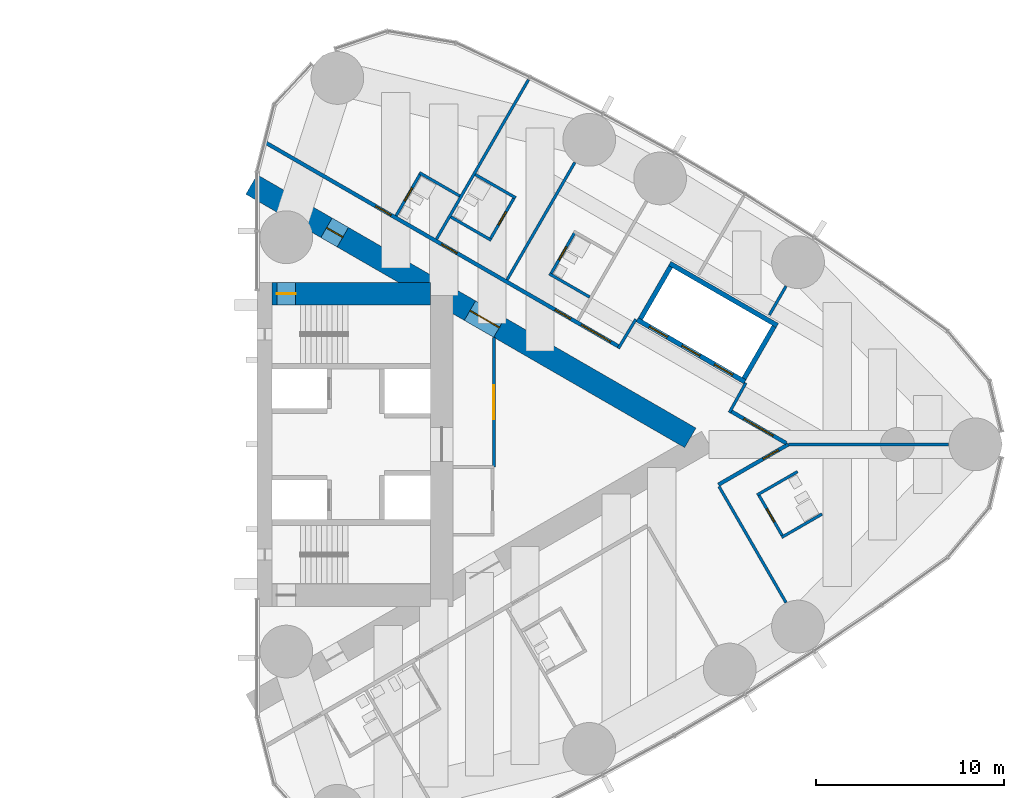
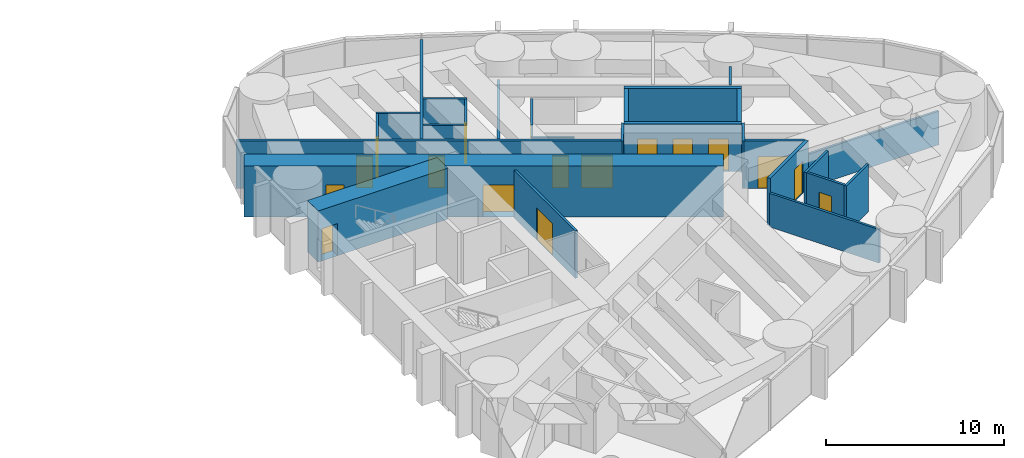
# One storey, part 15 of 18: 27 walls, 17 doors, 17 openings.
"""IFC4 building model written with IfcOpenShell, lengths in metres."""

from ifc_helpers import new_model, si_unit, direction, frame, frame_2d, origin, place, context, subcontext, project, spatial, rectangle, extrude, material, layer, layer_set, type_object, element, fill, save


model = new_model("IFC4")

# Units and contexts
model_context = context("Model", 3, precision=1e-05, world=origin(), true_north=direction((0.0, 1.0)))
body_context = subcontext(model_context, "Body", "Model", "MODEL_VIEW")
ifc_project = project(units=[si_unit("LENGTHUNIT", "METRE"), si_unit("AREAUNIT", "SQUARE_METRE"), si_unit("VOLUMEUNIT", "CUBIC_METRE"), si_unit("PLANEANGLEUNIT", "RADIAN"), si_unit("MASSUNIT", "GRAM", prefix="KILO")], contexts=[model_context])

# Site, building, storey
site_placement = place(None, origin())
site = spatial("IfcSite", under=ifc_project, at=site_placement, CompositionType="ELEMENT")
building_placement = place(site_placement, origin())
building = spatial("IfcBuilding", under=site, at=building_placement, Name="Lancet Gate Hotel", CompositionType="ELEMENT")
storey_placement = place(building_placement, frame((0.0, 0.0, 187.800048828125)))
storey = spatial("IfcBuildingStorey", under=building, at=storey_placement, Name="L50", CompositionType="ELEMENT", Elevation=187.800048828125)

# Wall
ifc_material_1 = material(Name="Moisture resistant board partition")
ifc_layer_1 = layer(ifc_material_1, 0.14990234375)
ifc_layer_set_1 = layer_set([ifc_layer_1], Name="Bathroom wall 150")
wall_type_1 = type_object("IfcWallType", Name="Bathroom wall 150", PredefinedType="PARTITIONING", material=ifc_layer_set_1)
wall_1_placement = place(storey_placement, frame((55.34912109375, -4.938232421875, 0.0), z_axis=(0.0, 0.0, 1.0), x_axis=(0.866006523861, 0.500032699561, 0.0)))
element("IfcWall", 1, at=wall_1_placement, inside=storey, type_object=wall_type_1, Name="T2 bathroom wall 150 L50", PredefinedType="PARTITIONING", context=body_context, shape_type="SweptSolid", body=[
    extrude(rectangle(XDim=2.474853515625, YDim=0.14990234375, at=frame_2d((1.2373046875, 0.0))), origin(), (0.0, 0.0, 1.0), 3.25),
])

# Wall, opening, door
wall_2_placement = place(storey_placement, frame((54.114013671875, -2.64892578125, 0.0), z_axis=(0.0, 0.0, 1.0), x_axis=(0.500006934395, -0.866021400173, 0.0)))
wall_2 = element("IfcWall", 2, at=wall_2_placement, inside=storey, type_object=wall_type_1, Name="T2 bathroom wall 150 L50", PredefinedType="PARTITIONING", context=body_context, shape_type="SweptSolid", body=[
    extrude(rectangle(XDim=2.60009765625, YDim=0.14990234375, at=frame_2d((1.300048828125, 0.0))), origin(), (0.0, 0.0, 1.0), 3.25),
])
opening_1_placement = place(wall_2_placement, frame((0.89990234375, 0.0, 0.0)))
opening_1 = element("IfcOpeningElement", 3, at=opening_1_placement, cuts=wall_2, Name="Opening 5057-B", PredefinedType="OPENING", context=body_context, shape_type="SweptSolid", body=[
    extrude(rectangle(XDim=0.800048828125, YDim=2.199951171875, at=frame_2d((0.39990234375, 1.10009765625))), frame((0.0, 0.0849609375, 0.0), z_axis=(0.0, -1.0, 0.0), x_axis=(1.0, 0.0, 0.0)), (0.0, 0.0, 1.0), 0.169921875),
])
ifc_material_2 = material(Name="Timber door set", Category="wood")
door_type_1 = type_object("IfcDoorType", Name="Bathroom door 800", OperationType="SINGLE_SWING_RIGHT", PredefinedType="DOOR", material=ifc_material_2)
door_1_placement = place(opening_1_placement, origin())
door_1 = element("IfcDoor", 4, at=door_1_placement, inside=storey, type_object=door_type_1, Name="5057-B", OperationType="SINGLE_SWING_RIGHT", OverallHeight=2.199951171875, OverallWidth=0.800048828125, PredefinedType="DOOR", context=body_context, shape_type="SweptSolid", body=[
    extrude(rectangle(XDim=0.800048828125, YDim=2.199951171875, at=frame_2d((0.39990234375, 1.10009765625))), frame((0.0, 0.02490234375, 0.0), z_axis=(0.0, -1.0, 0.0), x_axis=(1.0, 0.0, 0.0)), (0.0, 0.0, 1.0), 0.050048828125),
])
fill(opening_1, door_1)

# Wall
wall_3_placement = place(storey_placement, frame((54.049072265625, -2.6865234375, 0.0), z_axis=(0.0, 0.0, 1.0), x_axis=(0.866006523861, 0.500032699561, 0.0)))
element("IfcWall", 5, at=wall_3_placement, inside=storey, type_object=wall_type_1, Name="T2 bathroom wall 150 L50", PredefinedType="PARTITIONING", context=body_context, shape_type="SweptSolid", body=[
    extrude(rectangle(XDim=2.474853515625, YDim=0.14990234375, at=frame_2d((1.2373046875, 0.0))), origin(), (0.0, 0.0, 1.0), 3.25),
])

# Wall, opening, door
wall_4_placement = place(storey_placement, frame((43.078125, 9.020751953125, 0.0), z_axis=(0.0, 0.0, 1.0), x_axis=(0.49997716683, 0.86603858612, 0.0)))
wall_4 = element("IfcWall", 6, at=wall_4_placement, inside=storey, type_object=wall_type_1, Name="T2 bathroom wall 150 L50", PredefinedType="PARTITIONING", context=body_context, shape_type="SweptSolid", body=[
    extrude(rectangle(XDim=2.599609375, YDim=0.14990234375, at=frame_2d((1.2998046875, 0.0))), origin(), (0.0, 0.0, 1.0), 3.25),
])
opening_2_placement = place(wall_4_placement, frame((0.89990234375, 0.0, 0.0)))
opening_2 = element("IfcOpeningElement", 7, at=opening_2_placement, cuts=wall_4, Name="Opening 5061-B", PredefinedType="OPENING", context=body_context, shape_type="SweptSolid", body=[
    extrude(rectangle(XDim=0.800048828125, YDim=2.199951171875, at=frame_2d((0.39990234375, 1.10009765625))), frame((0.0, 0.0849609375, 0.0), z_axis=(0.0, -1.0, 0.0), x_axis=(1.0, 0.0, 0.0)), (0.0, 0.0, 1.0), 0.169921875),
])
door_2_placement = place(opening_2_placement, origin())
door_2 = element("IfcDoor", 8, at=door_2_placement, inside=storey, type_object=door_type_1, Name="5061-B", OperationType="SINGLE_SWING_RIGHT", OverallHeight=2.199951171875, OverallWidth=0.800048828125, PredefinedType="DOOR", context=body_context, shape_type="SweptSolid", body=[
    extrude(rectangle(XDim=0.800048828125, YDim=2.199951171875, at=frame_2d((0.39990234375, 1.10009765625))), frame((0.0, 0.02490234375, 0.0), z_axis=(0.0, -1.0, 0.0), x_axis=(1.0, 0.0, 0.0)), (0.0, 0.0, 1.0), 0.050048828125),
])
fill(opening_2, door_2)

# Walls
wall_5_placement = place(storey_placement, frame((43.01318359375, 9.05810546875, 0.0), z_axis=(0.0, 0.0, 1.0), x_axis=(0.866006523861, -0.500032699561, 0.0)))
element("IfcWall", 9, at=wall_5_placement, inside=storey, type_object=wall_type_1, Name="T2 bathroom wall 150 L50", PredefinedType="PARTITIONING", context=body_context, shape_type="SweptSolid", body=[
    extrude(rectangle(XDim=2.474853515625, YDim=0.14990234375, at=frame_2d((1.2373046875, 0.0))), origin(), (0.0, 0.0, 1.0), 2.449951171875),
])
wall_6_placement = place(storey_placement, frame((39.087158203125, 14.3271484375, 0.0), z_axis=(0.0, 0.0, 1.0), x_axis=(0.866006523861, -0.500032699561, 0.0)))
element("IfcWall", 10, at=wall_6_placement, inside=storey, type_object=wall_type_1, Name="T2 bathroom wall 150 L50", PredefinedType="PARTITIONING", context=body_context, shape_type="SweptSolid", body=[
    extrude(rectangle(XDim=2.474853515625, YDim=0.14990234375, at=frame_2d((1.2373046875, 0.0))), origin(), (0.0, 0.0, 1.0), 3.25),
])

# Wall, opening, door
wall_7_placement = place(storey_placement, frame((39.865478515625, 10.87548828125, 0.0), z_axis=(0.0, 0.0, 1.0), x_axis=(0.500047596559, 0.865997922154, 0.0)))
wall_7 = element("IfcWall", 11, at=wall_7_placement, inside=storey, type_object=wall_type_1, Name="T2 bathroom wall 150 L50", PredefinedType="PARTITIONING", context=body_context, shape_type="SweptSolid", body=[
    extrude(rectangle(XDim=2.599853515625, YDim=0.14990234375, at=frame_2d((1.2998046875, 0.0))), origin(), (0.0, 0.0, 1.0), 3.25),
])
opening_3_placement = place(wall_7_placement, frame((0.89990234375, 0.0, 0.0)))
opening_3 = element("IfcOpeningElement", 12, at=opening_3_placement, cuts=wall_7, Name="Opening 5062-B", PredefinedType="OPENING", context=body_context, shape_type="SweptSolid", body=[
    extrude(rectangle(XDim=0.800048828125, YDim=2.199951171875, at=frame_2d((0.39990234375, 1.10009765625))), frame((0.0, 0.0849609375, 0.0), z_axis=(0.0, -1.0, 0.0), x_axis=(1.0, 0.0, 0.0)), (0.0, 0.0, 1.0), 0.169921875),
])
door_3_placement = place(opening_3_placement, origin())
door_3 = element("IfcDoor", 13, at=door_3_placement, inside=storey, type_object=door_type_1, Name="5062-B", OperationType="SINGLE_SWING_RIGHT", OverallHeight=2.199951171875, OverallWidth=0.800048828125, PredefinedType="DOOR", context=body_context, shape_type="SweptSolid", body=[
    extrude(rectangle(XDim=0.800048828125, YDim=2.199951171875, at=frame_2d((0.39990234375, 1.10009765625))), frame((0.0, 0.02490234375, 0.0), z_axis=(0.0, -1.0, 0.0), x_axis=(1.0, 0.0, 0.0)), (0.0, 0.0, 1.0), 0.050048828125),
])
fill(opening_3, door_3)

# Walls
for number, where, z_axis, x_axis, name in (
    (14, (37.787109375, 12.075439453125, 0.0), (0.0, 0.0, 1.0), (0.866006523861, -0.500032699561, 0.0), "T2 bathroom wall 150 L50"),
    (15, (36.11376953125, 14.427001953125, 0.0), (0.0, 0.0, 1.0), (0.86604923931, -0.499958713387, 0.0), "T2 bathroom wall 150 L50"),
):
    element("IfcWall", number, at=place(storey_placement, frame(where, z_axis=z_axis, x_axis=x_axis)), inside=storey, type_object=wall_type_1, Name=name, PredefinedType="PARTITIONING", context=body_context, shape_type="SweptSolid", body=[
        extrude(rectangle(XDim=2.474853515625, YDim=0.14990234375, at=frame_2d((1.2373046875, 0.0))), origin(), (0.0, 0.0, 1.0), 3.25),
    ])

# Wall, opening, door
wall_8_placement = place(storey_placement, frame((34.878662109375, 12.137939453125, 0.0), z_axis=(0.0, 0.0, 1.0), x_axis=(0.500006934395, 0.866021400173, 0.0)))
wall_8 = element("IfcWall", 16, at=wall_8_placement, inside=storey, type_object=wall_type_1, Name="T2 bathroom wall 150 L50", PredefinedType="PARTITIONING", context=body_context, shape_type="SweptSolid", body=[
    extrude(rectangle(XDim=2.60009765625, YDim=0.14990234375, at=frame_2d((1.300048828125, 0.0))), origin(), (0.0, 0.0, 1.0), 3.25),
])
opening_4_placement = place(wall_8_placement, frame((0.89990234375, 0.0, 0.0)))
opening_4 = element("IfcOpeningElement", 17, at=opening_4_placement, cuts=wall_8, Name="Opening 5063-B", PredefinedType="OPENING", context=body_context, shape_type="SweptSolid", body=[
    extrude(rectangle(XDim=0.800048828125, YDim=2.199951171875, at=frame_2d((0.39990234375, 1.10009765625))), frame((0.0, 0.0849609375, 0.0), z_axis=(0.0, -1.0, 0.0), x_axis=(1.0, 0.0, 0.0)), (0.0, 0.0, 1.0), 0.169921875),
])
door_4_placement = place(opening_4_placement, origin())
door_4 = element("IfcDoor", 18, at=door_4_placement, inside=storey, type_object=door_type_1, Name="5063-B", OperationType="SINGLE_SWING_RIGHT", OverallHeight=2.199951171875, OverallWidth=0.800048828125, PredefinedType="DOOR", context=body_context, shape_type="SweptSolid", body=[
    extrude(rectangle(XDim=0.800048828125, YDim=2.199951171875, at=frame_2d((0.39990234375, 1.10009765625))), frame((0.0, 0.02490234375, 0.0), z_axis=(0.0, -1.0, 0.0), x_axis=(1.0, 0.0, 0.0)), (0.0, 0.0, 1.0), 0.050048828125),
])
fill(opening_4, door_4)

# Wall, openings, doors
ifc_material_3 = material(Name="Concrete C70/85", Category="concrete")
ifc_layer_2 = layer(ifc_material_3, 1.199951171875)
ifc_layer_set_2 = layer_set([ifc_layer_2], Name="Buttress wall 1200")
wall_type_2 = type_object("IfcWallType", Name="Buttress wall 1200", PredefinedType="SHEAR", material=ifc_layer_set_2)
wall_9_placement = place(storey_placement, frame((27.199951171875, 13.800048828125, 0.0), z_axis=(0.0, 0.0, 1.0), x_axis=(0.866024515034, -0.500001539357, 0.0)))
wall_9 = element("IfcWall", 19, at=wall_9_placement, inside=storey, type_object=wall_type_2, Name="T2 buttress wall N L50", PredefinedType="SHEAR", context=body_context, shape_type="SweptSolid", body=[
    extrude(rectangle(XDim=26.9072265625, YDim=1.199951171875, at=frame_2d((13.45361328125, 0.0))), origin(), (0.0, 0.0, 1.0), 3.5),
])
opening_5_placement = place(wall_9_placement, frame((4.60009765625, 0.0, 0.0)))
opening_5 = element("IfcOpeningElement", 20, at=opening_5_placement, cuts=wall_9, Name="Opening T2-L50-LN", PredefinedType="OPENING", context=body_context, shape_type="SweptSolid", body=[
    extrude(rectangle(XDim=1.0, YDim=2.199951171875, at=frame_2d((0.5, 1.10009765625))), frame((0.0, 0.60986328125, 0.0), z_axis=(0.0, -1.0, 0.0), x_axis=(1.0, 0.0, 0.0)), (0.0, 0.0, 1.0), 1.219970703125),
])
opening_6_placement = place(wall_9_placement, frame((13.39453125, 0.0, 0.0)))
opening_6 = element("IfcOpeningElement", 21, at=opening_6_placement, cuts=wall_9, Name="Opening T2-L50-LHN", PredefinedType="OPENING", context=body_context, shape_type="SweptSolid", body=[
    extrude(rectangle(XDim=1.800048828125, YDim=2.199951171875, at=frame_2d((0.89990234375, 1.10009765625))), frame((0.0, 0.60986328125, 0.0), z_axis=(0.0, -1.0, 0.0), x_axis=(1.0, 0.0, 0.0)), (0.0, 0.0, 1.0), 1.219970703125),
])
ifc_material_4 = material(Name="Timber door set", Category="wood")
door_type_2 = type_object("IfcDoorType", Name="Lobby double door 1800", OperationType="DOUBLE_DOOR_SINGLE_SWING", PredefinedType="DOOR", material=ifc_material_4)
door_5_placement = place(opening_6_placement, origin())
door_5 = element("IfcDoor", 22, at=door_5_placement, inside=storey, type_object=door_type_2, Name="T2-L50-LHN", OperationType="DOUBLE_DOOR_SINGLE_SWING", OverallHeight=2.199951171875, OverallWidth=1.800048828125, PredefinedType="DOOR", context=body_context, shape_type="SweptSolid", body=[
    extrude(rectangle(XDim=1.800048828125, YDim=2.199951171875, at=frame_2d((0.89990234375, 1.10009765625))), frame((0.0, 0.02490234375, 0.0), z_axis=(0.0, -1.0, 0.0), x_axis=(1.0, 0.0, 0.0)), (0.0, 0.0, 1.0), 0.050048828125),
])
fill(opening_6, door_5)
ifc_material_5 = material(Name="Timber door set", Category="wood")
door_type_3 = type_object("IfcDoorType", Name="Stair lobby door 1000", OperationType="SINGLE_SWING_LEFT", PredefinedType="DOOR", material=ifc_material_5)
door_6_placement = place(opening_5_placement, origin())
door_6 = element("IfcDoor", 23, at=door_6_placement, inside=storey, type_object=door_type_3, Name="T2-L50-LN", OperationType="SINGLE_SWING_LEFT", OverallHeight=2.199951171875, OverallWidth=1.0, PredefinedType="DOOR", context=body_context, shape_type="SweptSolid", body=[
    extrude(rectangle(XDim=1.0, YDim=2.199951171875, at=frame_2d((0.5, 1.10009765625))), frame((0.0, 0.02490234375, 0.0), z_axis=(0.0, -1.0, 0.0), x_axis=(1.0, 0.0, 0.0)), (0.0, 0.0, 1.0), 0.050048828125),
])
fill(opening_5, door_6)

# Wall, opening, door
ifc_material_6 = material(Name="Concrete C70/85", Category="concrete")
ifc_layer_3 = layer(ifc_material_6, 1.199951171875)
ifc_layer_set_3 = layer_set([ifc_layer_3], Name="Core wall 1200")
wall_type_3 = type_object("IfcWallType", Name="Core wall 1200", PredefinedType="SHEAR", material=ifc_layer_set_3)
wall_10_placement = place(storey_placement, frame((28.300048828125, 8.0, 0.0), z_axis=(0.0, 0.0, 1.0), x_axis=(1.0, 0.0, 0.0)))
wall_10 = element("IfcWall", 24, at=wall_10_placement, inside=storey, type_object=wall_type_3, Name="T2 core wall side-N L50", PredefinedType="SHEAR", context=body_context, shape_type="SweptSolid", body=[
    extrude(rectangle(XDim=8.39990234375, YDim=1.199951171875, at=frame_2d((4.199951171875, 0.0))), origin(), (0.0, 0.0, 1.0), 3.5),
])
opening_7_placement = place(wall_10_placement, frame((0.25, 0.0, 0.0)))
opening_7 = element("IfcOpeningElement", 25, at=opening_7_placement, cuts=wall_10, Name="Opening T2-L50-ST2", PredefinedType="OPENING", context=body_context, shape_type="SweptSolid", body=[
    extrude(rectangle(XDim=1.0, YDim=2.199951171875, at=frame_2d((0.5, 1.10009765625))), frame((0.0, 0.60986328125, 0.0), z_axis=(0.0, -1.0, 0.0), x_axis=(1.0, 0.0, 0.0)), (0.0, 0.0, 1.0), 1.219970703125),
])
ifc_material_7 = material(Name="Timber door set", Category="wood")
door_type_4 = type_object("IfcDoorType", Name="Stair door 1000", OperationType="SINGLE_SWING_RIGHT", PredefinedType="DOOR", material=ifc_material_7)
door_7_placement = place(opening_7_placement, origin())
door_7 = element("IfcDoor", 26, at=door_7_placement, inside=storey, type_object=door_type_4, Name="T2-L50-ST2", OperationType="SINGLE_SWING_RIGHT", OverallHeight=2.199951171875, OverallWidth=1.0, PredefinedType="DOOR", context=body_context, shape_type="SweptSolid", body=[
    extrude(rectangle(XDim=1.0, YDim=2.199951171875, at=frame_2d((0.5, 1.10009765625))), frame((0.0, 0.02490234375, 0.0), z_axis=(0.0, -1.0, 0.0), x_axis=(1.0, 0.0, 0.0)), (0.0, 0.0, 1.0), 0.050048828125),
])
fill(opening_7, door_7)

# Wall, openings, doors
ifc_material_8 = material(Name="Gypsum board partition")
ifc_layer_4 = layer(ifc_material_8, 0.199951171875)
ifc_layer_set_4 = layer_set([ifc_layer_4], Name="Corridor wall 200")
wall_type_4 = type_object("IfcWallType", Name="Corridor wall 200", PredefinedType="PARTITIONING", material=ifc_layer_set_4)
wall_11_placement = place(storey_placement, frame((27.95947265625, 16.017333984375, 0.0), z_axis=(0.0, 0.0, 1.0), x_axis=(0.866027146794, -0.499996981007, 0.0)))
wall_11 = element("IfcWall", 27, at=wall_11_placement, inside=storey, type_object=wall_type_4, Name="T2 corridor wall 200 L50", PredefinedType="PARTITIONING", context=body_context, shape_type="SweptSolid", body=[
    extrude(rectangle(XDim=21.657470703125, YDim=0.199951171875, at=frame_2d((10.82861328125, 0.0))), origin(), (0.0, 0.0, 1.0), 3.25),
])
opening_8_placement = place(wall_11_placement, frame((17.741455078125, 0.0, 0.0)))
opening_8 = element("IfcOpeningElement", 28, at=opening_8_placement, cuts=wall_11, Name="Opening 5061-E", PredefinedType="OPENING", context=body_context, shape_type="SweptSolid", body=[
    extrude(rectangle(XDim=0.949951171875, YDim=2.199951171875, at=frame_2d((0.47509765625, 1.10009765625))), frame((0.0, 0.10986328125, 0.0), z_axis=(0.0, -1.0, 0.0), x_axis=(1.0, 0.0, 0.0)), (0.0, 0.0, 1.0), 0.219970703125),
])
opening_9_placement = place(wall_11_placement, frame((10.781982421875, 0.0, 0.0)))
opening_9 = element("IfcOpeningElement", 29, at=opening_9_placement, cuts=wall_11, Name="Opening 5062-E", PredefinedType="OPENING", context=body_context, shape_type="SweptSolid", body=[
    extrude(rectangle(XDim=0.949951171875, YDim=2.199951171875, at=frame_2d((0.47509765625, 1.10009765625))), frame((0.0, 0.10986328125, 0.0), z_axis=(0.0, -1.0, 0.0), x_axis=(1.0, 0.0, 0.0)), (0.0, 0.0, 1.0), 0.219970703125),
])
opening_10_placement = place(wall_11_placement, frame((6.73193359375, 0.0, 0.0)))
opening_10 = element("IfcOpeningElement", 30, at=opening_10_placement, cuts=wall_11, Name="Opening 5063-E", PredefinedType="OPENING", context=body_context, shape_type="SweptSolid", body=[
    extrude(rectangle(XDim=0.949951171875, YDim=2.199951171875, at=frame_2d((0.47509765625, 1.10009765625))), frame((0.0, 0.10986328125, 0.0), z_axis=(0.0, -1.0, 0.0), x_axis=(1.0, 0.0, 0.0)), (0.0, 0.0, 1.0), 0.219970703125),
])
opening_11_placement = place(wall_11_placement, frame((19.349365234375, 0.0, 0.0)))
opening_11 = element("IfcOpeningElement", 31, at=opening_11_placement, cuts=wall_11, Name="Opening T2-L50-LO2", PredefinedType="OPENING", context=body_context, shape_type="SweptSolid", body=[
    extrude(rectangle(XDim=1.800048828125, YDim=2.199951171875, at=frame_2d((0.89990234375, 1.10009765625))), frame((0.0, 0.10986328125, 0.0), z_axis=(0.0, -1.0, 0.0), x_axis=(1.0, 0.0, 0.0)), (0.0, 0.0, 1.0), 0.219970703125),
])
ifc_material_9 = material(Name="Timber door set", Category="wood")
door_type_5 = type_object("IfcDoorType", Name="Double door 1800", OperationType="DOUBLE_DOOR_SINGLE_SWING", PredefinedType="DOOR", material=ifc_material_9)
door_8_placement = place(opening_11_placement, origin())
door_8 = element("IfcDoor", 32, at=door_8_placement, inside=storey, type_object=door_type_5, Name="T2-L50-LO2", OperationType="DOUBLE_DOOR_SINGLE_SWING", OverallHeight=2.199951171875, OverallWidth=1.800048828125, PredefinedType="DOOR", context=body_context, shape_type="SweptSolid", body=[
    extrude(rectangle(XDim=1.800048828125, YDim=2.199951171875, at=frame_2d((0.89990234375, 1.10009765625))), frame((0.0, 0.02490234375, 0.0), z_axis=(0.0, -1.0, 0.0), x_axis=(1.0, 0.0, 0.0)), (0.0, 0.0, 1.0), 0.050048828125),
])
fill(opening_11, door_8)
ifc_material_10 = material(Name="Timber door set", Category="wood")
door_type_6 = type_object("IfcDoorType", Name="Guest room entry door 950", OperationType="SINGLE_SWING_LEFT", PredefinedType="DOOR", material=ifc_material_10)
door_9_placement = place(opening_8_placement, origin())
door_9 = element("IfcDoor", 33, at=door_9_placement, inside=storey, type_object=door_type_6, Name="5061-E", OperationType="SINGLE_SWING_LEFT", OverallHeight=2.199951171875, OverallWidth=0.949951171875, PredefinedType="DOOR", context=body_context, shape_type="SweptSolid", body=[
    extrude(rectangle(XDim=0.949951171875, YDim=2.199951171875, at=frame_2d((0.47509765625, 1.10009765625))), frame((0.0, 0.02490234375, 0.0), z_axis=(0.0, -1.0, 0.0), x_axis=(1.0, 0.0, 0.0)), (0.0, 0.0, 1.0), 0.050048828125),
])
fill(opening_8, door_9)
door_10_placement = place(opening_9_placement, origin())
door_10 = element("IfcDoor", 34, at=door_10_placement, inside=storey, type_object=door_type_6, Name="5062-E", OperationType="SINGLE_SWING_LEFT", OverallHeight=2.199951171875, OverallWidth=0.949951171875, PredefinedType="DOOR", context=body_context, shape_type="SweptSolid", body=[
    extrude(rectangle(XDim=0.949951171875, YDim=2.199951171875, at=frame_2d((0.47509765625, 1.10009765625))), frame((0.0, 0.02490234375, 0.0), z_axis=(0.0, -1.0, 0.0), x_axis=(1.0, 0.0, 0.0)), (0.0, 0.0, 1.0), 0.050048828125),
])
fill(opening_9, door_10)
door_11_placement = place(opening_10_placement, origin())
door_11 = element("IfcDoor", 35, at=door_11_placement, inside=storey, type_object=door_type_6, Name="5063-E", OperationType="SINGLE_SWING_LEFT", OverallHeight=2.199951171875, OverallWidth=0.949951171875, PredefinedType="DOOR", context=body_context, shape_type="SweptSolid", body=[
    extrude(rectangle(XDim=0.949951171875, YDim=2.199951171875, at=frame_2d((0.47509765625, 1.10009765625))), frame((0.0, 0.02490234375, 0.0), z_axis=(0.0, -1.0, 0.0), x_axis=(1.0, 0.0, 0.0)), (0.0, 0.0, 1.0), 0.050048828125),
])
fill(opening_10, door_11)

# Wall, opening, door
wall_12_placement = place(storey_placement, frame((52.63916015625, 1.7685546875, 0.0), z_axis=(0.0, 0.0, 1.0), x_axis=(0.866027340901, -0.4999966448, 0.0)))
wall_12 = element("IfcWall", 36, at=wall_12_placement, inside=storey, type_object=wall_type_4, Name="T2 corridor wall 200 L50", PredefinedType="PARTITIONING", context=body_context, shape_type="SweptSolid", body=[
    extrude(rectangle(XDim=3.4169921875, YDim=0.199951171875, at=frame_2d((1.70849609375, 0.0))), origin(), (0.0, 0.0, 1.0), 3.25),
])
opening_12_placement = place(wall_12_placement, frame((0.80859375, 0.0, 0.0)))
opening_12 = element("IfcOpeningElement", 37, at=opening_12_placement, cuts=wall_12, Name="Opening T2-L50-LO1", PredefinedType="OPENING", context=body_context, shape_type="SweptSolid", body=[
    extrude(rectangle(XDim=1.800048828125, YDim=2.199951171875, at=frame_2d((0.89990234375, 1.10009765625))), frame((0.0, 0.10986328125, 0.0), z_axis=(0.0, -1.0, 0.0), x_axis=(1.0, 0.0, 0.0)), (0.0, 0.0, 1.0), 0.219970703125),
])
door_12_placement = place(opening_12_placement, origin())
door_12 = element("IfcDoor", 38, at=door_12_placement, inside=storey, type_object=door_type_5, Name="T2-L50-LO1", OperationType="DOUBLE_DOOR_SINGLE_SWING", OverallHeight=2.199951171875, OverallWidth=1.800048828125, PredefinedType="DOOR", context=body_context, shape_type="SweptSolid", body=[
    extrude(rectangle(XDim=1.800048828125, YDim=2.199951171875, at=frame_2d((0.89990234375, 1.10009765625))), frame((0.0, 0.02490234375, 0.0), z_axis=(0.0, -1.0, 0.0), x_axis=(1.0, 0.0, 0.0)), (0.0, 0.0, 1.0), 0.050048828125),
])
fill(opening_12, door_12)

wall_13_placement = place(storey_placement, frame((51.996826171875, -2.13916015625, 0.0), z_axis=(0.0, 0.0, 1.0), x_axis=(0.866036399848, 0.499980953776, 0.0)))
wall_13 = element("IfcWall", 39, at=wall_13_placement, inside=storey, type_object=wall_type_4, Name="T2 corridor wall 200 L50", PredefinedType="PARTITIONING", context=body_context, shape_type="SweptSolid", body=[
    extrude(rectangle(XDim=4.278564453125, YDim=0.199951171875, at=frame_2d((2.13916015625, 0.0))), origin(), (0.0, 0.0, 1.0), 3.25),
])
opening_13_placement = place(wall_13_placement, frame((2.728515625, 0.0, 0.0)))
opening_13 = element("IfcOpeningElement", 40, at=opening_13_placement, cuts=wall_13, Name="Opening 5057-E", PredefinedType="OPENING", context=body_context, shape_type="SweptSolid", body=[
    extrude(rectangle(XDim=0.949951171875, YDim=2.199951171875, at=frame_2d((0.47509765625, 1.10009765625))), frame((0.0, 0.10986328125, 0.0), z_axis=(0.0, -1.0, 0.0), x_axis=(1.0, 0.0, 0.0)), (0.0, 0.0, 1.0), 0.219970703125),
])
door_13_placement = place(opening_13_placement, origin())
door_13 = element("IfcDoor", 41, at=door_13_placement, inside=storey, type_object=door_type_6, Name="5057-E", OperationType="SINGLE_SWING_LEFT", OverallHeight=2.199951171875, OverallWidth=0.949951171875, PredefinedType="DOOR", context=body_context, shape_type="SweptSolid", body=[
    extrude(rectangle(XDim=0.949951171875, YDim=2.199951171875, at=frame_2d((0.47509765625, 1.10009765625))), frame((0.0, 0.02490234375, 0.0), z_axis=(0.0, -1.0, 0.0), x_axis=(1.0, 0.0, 0.0)), (0.0, 0.0, 1.0), 0.050048828125),
])
fill(opening_13, door_13)

# Wall, openings, doors
ifc_material_11 = material(Name="Gypsum board partition")
ifc_layer_5 = layer(ifc_material_11, 0.25)
ifc_layer_set_5 = layer_set([ifc_layer_5], Name="Lift shaft partition 250")
wall_type_5 = type_object("IfcWallType", Name="Lift shaft partition 250", PredefinedType="PARTITIONING", material=ifc_layer_set_5)
wall_14_placement = place(storey_placement, frame((47.681396484375, 6.622314453125, 0.0), z_axis=(0.0, 0.0, 1.0), x_axis=(0.86603344179, -0.499986077507, 0.0)))
wall_14 = element("IfcWall", 42, at=wall_14_placement, inside=storey, type_object=wall_type_5, Name="T2 lift shaft wall HL L50", PredefinedType="PARTITIONING", context=body_context, shape_type="SweptSolid", body=[
    extrude(rectangle(XDim=6.600341796875, YDim=0.25, at=frame_2d((3.30029296875, 0.0))), origin(), (0.0, 0.0, 1.0), 3.25),
])
opening_14_placement = place(wall_14_placement, frame((0.75, 0.0, 0.0)))
opening_14 = element("IfcOpeningElement", 43, at=opening_14_placement, cuts=wall_14, Name="Opening T2-HL1-L50", PredefinedType="OPENING", context=body_context, shape_type="SweptSolid", body=[
    extrude(rectangle(XDim=1.10009765625, YDim=2.199951171875, at=frame_2d((0.550048828125, 1.10009765625))), frame((0.0, 0.135009765625, 0.0), z_axis=(0.0, -1.0, 0.0), x_axis=(1.0, 0.0, 0.0)), (0.0, 0.0, 1.0), 0.27001953125),
])
opening_15_placement = place(wall_14_placement, frame((2.75, 0.0, 0.0)))
opening_15 = element("IfcOpeningElement", 44, at=opening_15_placement, cuts=wall_14, Name="Opening T2-HL2-L50", PredefinedType="OPENING", context=body_context, shape_type="SweptSolid", body=[
    extrude(rectangle(XDim=1.10009765625, YDim=2.199951171875, at=frame_2d((0.550048828125, 1.10009765625))), frame((0.0, 0.135009765625, 0.0), z_axis=(0.0, -1.0, 0.0), x_axis=(1.0, 0.0, 0.0)), (0.0, 0.0, 1.0), 0.27001953125),
])
opening_16_placement = place(wall_14_placement, frame((4.75, 0.0, 0.0)))
opening_16 = element("IfcOpeningElement", 45, at=opening_16_placement, cuts=wall_14, Name="Opening T2-HL3-L50", PredefinedType="OPENING", context=body_context, shape_type="SweptSolid", body=[
    extrude(rectangle(XDim=1.10009765625, YDim=2.199951171875, at=frame_2d((0.550048828125, 1.10009765625))), frame((0.0, 0.135009765625, 0.0), z_axis=(0.0, -1.0, 0.0), x_axis=(1.0, 0.0, 0.0)), (0.0, 0.0, 1.0), 0.27001953125),
])
ifc_material_12 = material(Name="Steel door set", Category="steel")
door_type_7 = type_object("IfcDoorType", Name="Lift landing door 1100", OperationType="DOUBLE_DOOR_SLIDING", PredefinedType="USERDEFINED", material=ifc_material_12)
door_14_placement = place(opening_14_placement, origin())
door_14 = element("IfcDoor", 46, at=door_14_placement, inside=storey, type_object=door_type_7, Name="T2-HL1-L50", ObjectType="LIFT LANDING DOOR", OperationType="DOUBLE_DOOR_SLIDING", OverallHeight=2.199951171875, OverallWidth=1.10009765625, PredefinedType="USERDEFINED", context=body_context, shape_type="SweptSolid", body=[
    extrude(rectangle(XDim=1.10009765625, YDim=2.199951171875, at=frame_2d((0.550048828125, 1.10009765625))), frame((0.0, 0.02490234375, 0.0), z_axis=(0.0, -1.0, 0.0), x_axis=(1.0, 0.0, 0.0)), (0.0, 0.0, 1.0), 0.050048828125),
])
fill(opening_14, door_14)
door_15_placement = place(opening_15_placement, origin())
door_15 = element("IfcDoor", 47, at=door_15_placement, inside=storey, type_object=door_type_7, Name="T2-HL2-L50", ObjectType="LIFT LANDING DOOR", OperationType="DOUBLE_DOOR_SLIDING", OverallHeight=2.199951171875, OverallWidth=1.10009765625, PredefinedType="USERDEFINED", context=body_context, shape_type="SweptSolid", body=[
    extrude(rectangle(XDim=1.10009765625, YDim=2.199951171875, at=frame_2d((0.550048828125, 1.10009765625))), frame((0.0, 0.02490234375, 0.0), z_axis=(0.0, -1.0, 0.0), x_axis=(1.0, 0.0, 0.0)), (0.0, 0.0, 1.0), 0.050048828125),
])
fill(opening_15, door_15)
door_16_placement = place(opening_16_placement, origin())
door_16 = element("IfcDoor", 48, at=door_16_placement, inside=storey, type_object=door_type_7, Name="T2-HL3-L50", ObjectType="LIFT LANDING DOOR", OperationType="DOUBLE_DOOR_SLIDING", OverallHeight=2.199951171875, OverallWidth=1.10009765625, PredefinedType="USERDEFINED", context=body_context, shape_type="SweptSolid", body=[
    extrude(rectangle(XDim=1.10009765625, YDim=2.199951171875, at=frame_2d((0.550048828125, 1.10009765625))), frame((0.0, 0.02490234375, 0.0), z_axis=(0.0, -1.0, 0.0), x_axis=(1.0, 0.0, 0.0)), (0.0, 0.0, 1.0), 0.050048828125),
])
fill(opening_16, door_16)

# Walls
wall_15_placement = place(storey_placement, frame((49.406494140625, 9.61083984375, 0.0), z_axis=(0.0, 0.0, 1.0), x_axis=(0.86603344179, -0.499986077507, 0.0)))
element("IfcWall", 49, at=wall_15_placement, inside=storey, type_object=wall_type_5, Name="T2 lift shaft wall HL L50", PredefinedType="PARTITIONING", context=body_context, shape_type="SweptSolid", body=[
    extrude(rectangle(XDim=6.600341796875, YDim=0.25, at=frame_2d((3.30029296875, 0.0))), origin(), (0.0, 0.0, 1.0), 3.25),
])
wall_16_placement = place(storey_placement, frame((47.852294921875, 6.66796875, 0.0), z_axis=(0.0, 0.0, 1.0), x_axis=(0.499929347863, 0.866066190972, 0.0)))
element("IfcWall", 50, at=wall_16_placement, inside=storey, type_object=wall_type_5, Name="T2 lift shaft wall HL L50", PredefinedType="PARTITIONING", context=body_context, shape_type="SweptSolid", body=[
    extrude(rectangle(XDim=3.20068359375, YDim=0.25, at=frame_2d((1.600341796875, 0.0))), origin(), (0.0, 0.0, 1.0), 3.25),
])
wall_17_placement = place(storey_placement, frame((53.351806640625, 3.492919921875, 0.0), z_axis=(0.0, 0.0, 1.0), x_axis=(0.499872130319, 0.866099216793, 0.0)))
element("IfcWall", 51, at=wall_17_placement, inside=storey, type_object=wall_type_5, Name="T2 lift shaft wall HL L50", PredefinedType="PARTITIONING", context=body_context, shape_type="SweptSolid", body=[
    extrude(rectangle(XDim=3.200439453125, YDim=0.25, at=frame_2d((1.60009765625, 0.0))), origin(), (0.0, 0.0, 1.0), 3.25),
])
ifc_material_13 = material(Name="Gypsum board partition")
ifc_layer_6 = layer(ifc_material_13, 0.14990234375)
ifc_layer_set_6 = layer_set([ifc_layer_6], Name="Party wall 150")
wall_type_6 = type_object("IfcWallType", Name="Party wall 150", PredefinedType="PARTITIONING", material=ifc_layer_set_6)
wall_18_placement = place(storey_placement, frame((52.025390625, -2.23828125, 0.0), z_axis=(0.0, 0.0, 1.0), x_axis=(0.499983785035, -0.866034765296, 0.0)))
element("IfcWall", 52, at=wall_18_placement, inside=storey, type_object=wall_type_6, Name="T2 party wall 150 L50", PredefinedType="PARTITIONING", context=body_context, shape_type="SweptSolid", body=[
    extrude(rectangle(XDim=7.116455078125, YDim=0.14990234375, at=frame_2d((3.55810546875, 0.0))), origin(), (0.0, 0.0, 1.0), 2.300048828125),
])
wall_19_placement = place(storey_placement, frame((37.022216796875, 10.900390625, 0.0), z_axis=(0.0, 0.0, 1.0), x_axis=(0.499998620953, 0.866026199976, 0.0)))
element("IfcWall", 53, at=wall_19_placement, inside=storey, type_object=wall_type_6, Name="T2 party wall 150 L50", PredefinedType="PARTITIONING", context=body_context, shape_type="SweptSolid", body=[
    extrude(rectangle(XDim=9.76953125, YDim=0.14990234375, at=frame_2d((4.884765625, 0.0))), origin(), (0.0, 0.0, 1.0), 3.25),
])
wall_20_placement = place(storey_placement, frame((40.769287109375, 8.737060546875, 0.0), z_axis=(0.0, 0.0, 1.0), x_axis=(0.500013115284, 0.866017831539, 0.0)))
element("IfcWall", 54, at=wall_20_placement, inside=storey, type_object=wall_type_6, Name="T2 party wall 150 L50", PredefinedType="PARTITIONING", context=body_context, shape_type="SweptSolid", body=[
    extrude(rectangle(XDim=7.197998046875, YDim=0.14990234375, at=frame_2d((3.59912109375, 0.0))), origin(), (0.0, 0.0, 1.0), 2.300048828125),
])
wall_21_placement = place(storey_placement, frame((55.7021484375, 0.0, 0.0), z_axis=(0.0, 0.0, 1.0), x_axis=(1.0, 0.0, 0.0)))
element("IfcWall", 55, at=wall_21_placement, inside=storey, type_object=wall_type_6, Name="T2 party wall 150 L50", PredefinedType="PARTITIONING", context=body_context, shape_type="SweptSolid", body=[
    extrude(rectangle(XDim=8.517578125, YDim=0.14990234375, at=frame_2d((4.2587890625, 0.0))), origin(), (0.0, 0.0, 1.0), 2.300048828125),
])
wall_22_placement = place(storey_placement, frame((54.700439453125, 6.871826171875, 0.0), z_axis=(0.0, 0.0, 1.0), x_axis=(0.499989690894, 0.866031355668, 0.0)))
element("IfcWall", 56, at=wall_22_placement, inside=storey, type_object=wall_type_6, Name="T2 party wall 150 L50", PredefinedType="PARTITIONING", context=body_context, shape_type="SweptSolid", body=[
    extrude(rectangle(XDim=1.76611328125, YDim=0.14990234375, at=frame_2d((0.883056640625, 0.0))), origin(), (0.0, 0.0, 1.0), 3.25),
])
ifc_material_14 = material(Name="Gypsum board partition")
ifc_layer_7 = layer(ifc_material_14, 0.14990234375)
ifc_layer_set_7 = layer_set([ifc_layer_7], Name="Service room wall 150")
wall_type_7 = type_object("IfcWallType", Name="Service room wall 150", PredefinedType="PARTITIONING", material=ifc_layer_set_7)
for number, where, z_axis, x_axis, name in (
    (57, (52.576171875, 1.689453125, 0.0), (0.0, 0.0, 1.0), (0.485482130951, 0.874246590229, 0.0), "T2 service room wall 150 L50"),
    (58, (47.6064453125, 6.642578125, 0.0), (0.0, 0.0, 1.0), (-0.514237157483, -0.857648031458, 0.0), "T2 service room wall 150 L50"),
):
    element("IfcWall", number, at=place(storey_placement, frame(where, z_axis=z_axis, x_axis=x_axis)), inside=storey, type_object=wall_type_7, Name=name, PredefinedType="PARTITIONING", context=body_context, shape_type="SweptSolid", body=[
        extrude(rectangle(XDim=1.804931640625, YDim=0.14990234375, at=frame_2d((0.90234375, 0.0))), origin(), (0.0, 0.0, 1.0), 3.25),
    ])

# Wall, opening, door
wall_23_placement = place(storey_placement, frame((40.074951171875, -1.199951171875, 0.0), z_axis=(0.0, 0.0, 1.0), x_axis=(0.0, 1.0, 0.0)))
wall_23 = element("IfcWall", 59, at=wall_23_placement, inside=storey, type_object=wall_type_7, Name="T2 service room wall 150 L50", PredefinedType="PARTITIONING", context=body_context, shape_type="SweptSolid", body=[
    extrude(rectangle(XDim=6.873779296875, YDim=0.14990234375, at=frame_2d((3.43701171875, 0.0))), origin(), (0.0, 0.0, 1.0), 3.25),
])
opening_17_placement = place(wall_23_placement, frame((2.536865234375, 0.0, 0.0)))
opening_17 = element("IfcOpeningElement", 60, at=opening_17_placement, cuts=wall_23, Name="Opening T2-L50-LH", PredefinedType="OPENING", context=body_context, shape_type="SweptSolid", body=[
    extrude(rectangle(XDim=1.800048828125, YDim=2.199951171875, at=frame_2d((0.89990234375, 1.10009765625))), frame((0.0, 0.0849609375, 0.0), z_axis=(0.0, -1.0, 0.0), x_axis=(1.0, 0.0, 0.0)), (0.0, 0.0, 1.0), 0.169921875),
])
door_17_placement = place(opening_17_placement, origin())
door_17 = element("IfcDoor", 61, at=door_17_placement, inside=storey, type_object=door_type_2, Name="T2-L50-LH", OperationType="DOUBLE_DOOR_SINGLE_SWING", OverallHeight=2.199951171875, OverallWidth=1.800048828125, PredefinedType="DOOR", context=body_context, shape_type="SweptSolid", body=[
    extrude(rectangle(XDim=1.800048828125, YDim=2.199951171875, at=frame_2d((0.89990234375, 1.10009765625))), frame((0.0, 0.02490234375, 0.0), z_axis=(0.0, -1.0, 0.0), x_axis=(1.0, 0.0, 0.0)), (0.0, 0.0, 1.0), 0.050048828125),
])
fill(opening_17, door_17)

save(model, "model.ifc")
